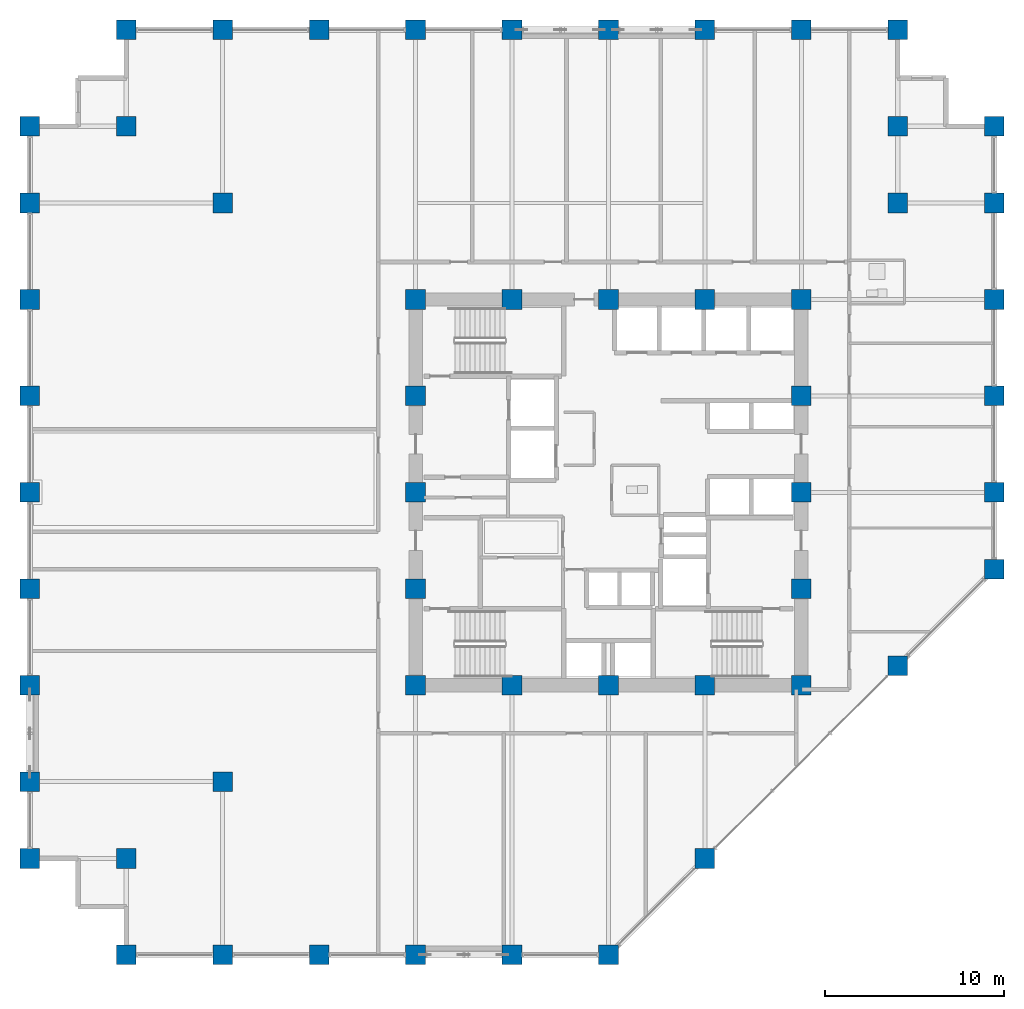
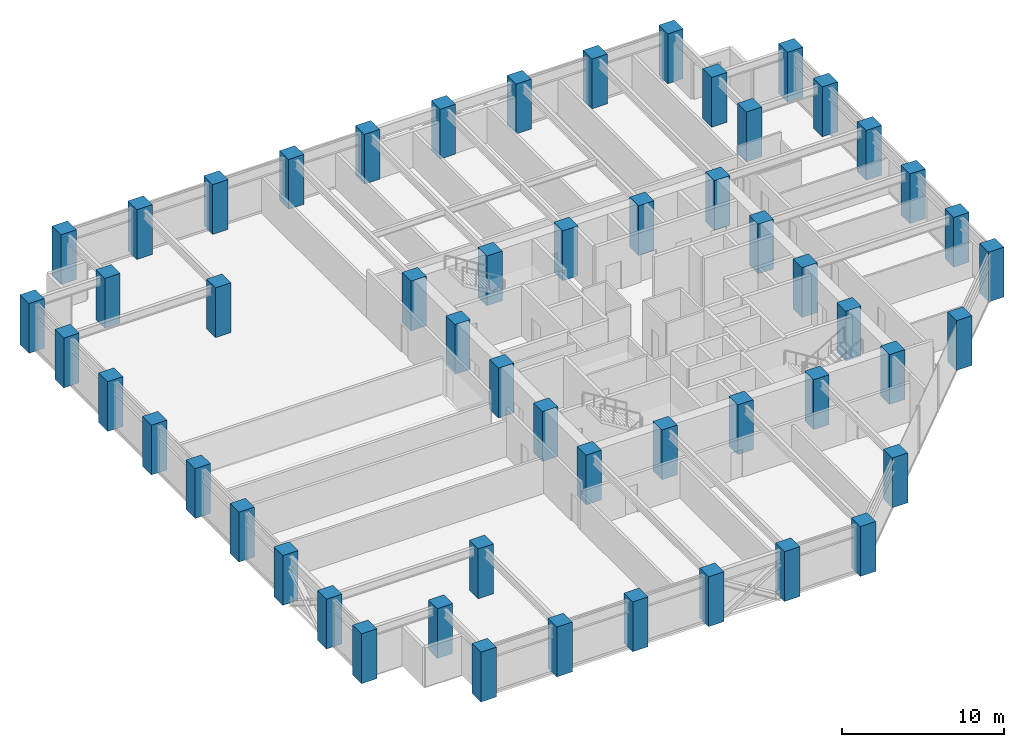
# One storey, part 1 of 25: 54 columns.
"""IFC4 building model written with IfcOpenShell, lengths in metres."""

import ifcopenshell
import ifcopenshell.guid

model = None  # the IFC model being written
_history = None  # IfcOwnerHistory: only IFC2X3 demands one
_inside = {}  # id of a spatial element -> (the spatial element, [elements in it])
_under = {}  # id of a project, library or spatial element -> (it, [spatial elements below it])
_declared = {}  # id of a project -> (the project, [libraries it declares])
_typed = {}  # id of a type object -> (the type object, [elements of that type])
_made_of = {}  # id of a material, layer set ... -> (it, [elements and type objects made of it])


def new_model(schema):
    """Start an empty IFC model of exactly this schema.

    Asked for "IFC4X3", IfcOpenShell would pick the latest addendum, in which some entities
    have other attributes; the version numbers below select the first issue.
    IFC2X3 requires an IfcOwnerHistory on every rooted entity: one is made here for all.
    """
    global model, _history
    if schema == "IFC4X3":
        model = ifcopenshell.file(schema_version=(4, 3, 0, 0))
    else:
        model = ifcopenshell.file(schema=schema)
    _inside.clear()
    _under.clear()
    _declared.clear()
    _typed.clear()
    _made_of.clear()
    _history = None
    if model.schema == "IFC2X3":
        org = make("IfcOrganization", Name="unknown")
        user = make(
            "IfcPersonAndOrganization",
            ThePerson=make("IfcPerson", FamilyName="unknown"),
            TheOrganization=org,
        )
        app = make(
            "IfcApplication",
            ApplicationDeveloper=org,
            Version="unknown",
            ApplicationFullName="unknown",
            ApplicationIdentifier="unknown",
        )
        _history = make(
            "IfcOwnerHistory",
            OwningUser=user,
            OwningApplication=app,
            ChangeAction="ADDED",
            CreationDate=0,
        )
    return model


def make(cls, **values):
    """One entity of the class cls with the attributes given. An attribute that is None is left unset."""
    return model.create_entity(
        cls, **{name: value for name, value in values.items() if value is not None}
    )


def rooted(cls, **values):
    """An entity with a GlobalId (a new one), such as an element, a storey or a relation."""
    return make(cls, GlobalId=ifcopenshell.guid.new(), OwnerHistory=_history, **values)


def si_unit(unit_type, name, prefix=None):
    """IfcSIUnit, for example si_unit("LENGTHUNIT", "METRE", prefix="MILLI")."""
    return make("IfcSIUnit", UnitType=unit_type, Prefix=prefix, Name=name)


def assignment(units):
    """IfcUnitAssignment: the units of a project."""
    return None if units is None else make("IfcUnitAssignment", Units=units)


def point(xyz):
    """IfcCartesianPoint."""
    return None if xyz is None else make("IfcCartesianPoint", Coordinates=xyz)


def direction(xyz):
    """IfcDirection."""
    return None if xyz is None else make("IfcDirection", DirectionRatios=xyz)


def frame(location, z_axis=None, x_axis=None):
    """IfcAxis2Placement3D, a coordinate frame: its origin and axes. An axis left out is left unset."""
    return make(
        "IfcAxis2Placement3D",
        Location=point(location),
        Axis=direction(z_axis),
        RefDirection=direction(x_axis),
    )


def frame_2d(location, x_axis=None):
    """IfcAxis2Placement2D, a coordinate frame in the plane: its origin and x axis."""
    return make(
        "IfcAxis2Placement2D", Location=point(location), RefDirection=direction(x_axis)
    )


def origin():
    """The frame at (0, 0, 0) with its axes left unset."""
    return frame((0.0, 0.0, 0.0))


def origin_2d():
    """The frame at (0, 0) in the plane with its x axis left unset."""
    return frame_2d((0.0, 0.0))


def place(relative_to, where):
    """IfcLocalPlacement: puts the frame where relative to a parent placement (None: the world)."""
    return make(
        "IfcLocalPlacement", PlacementRelTo=relative_to, RelativePlacement=where
    )


def context(
    kind, dimensions, precision=None, world=None, true_north=None, identifier=None
):
    """IfcGeometricRepresentationContext, for example the 3D "Model" context."""
    return make(
        "IfcGeometricRepresentationContext",
        ContextIdentifier=identifier,
        ContextType=kind,
        CoordinateSpaceDimension=dimensions,
        Precision=precision,
        WorldCoordinateSystem=world,
        TrueNorth=true_north,
    )


def subcontext(parent, identifier, kind, view, scale=None):
    """IfcGeometricRepresentationSubContext, for example "Body" below "Model"."""
    return make(
        "IfcGeometricRepresentationSubContext",
        ContextIdentifier=identifier,
        ContextType=kind,
        ParentContext=parent,
        TargetScale=scale,
        TargetView=view,
    )


def project(units=None, contexts=None):
    """IfcProject with its units and contexts."""
    return rooted(
        "IfcProject",
        Name="project",
        RepresentationContexts=contexts,
        UnitsInContext=assignment(units),
    )


def spatial(cls, under=None, at=None, **own):
    """A site, building, storey or space (cls), placed at a placement, below another one or the project."""
    s = rooted(cls, ObjectPlacement=at, **own)
    if under is not None:
        _under.setdefault(under.id(), (under, []))[1].append(s)
    return s


def profile(cls, at=None, kind="AREA", **sizes):
    """A parametric profile (cls). Its sizes go by their IFC names, for example OverallWidth=200.0."""
    return make(cls, ProfileType=kind, Position=at, **sizes)


def rectangle(**sizes):
    """IfcRectangleProfileDef."""
    return profile("IfcRectangleProfileDef", **sizes)


def extrude(swept, where, along, depth):
    """IfcExtrudedAreaSolid: the profile swept, set in the frame where, extruded along a direction by depth."""
    return make(
        "IfcExtrudedAreaSolid",
        SweptArea=swept,
        Position=where,
        ExtrudedDirection=direction(along),
        Depth=depth,
    )


def shape(context_of_items, identifier, shape_type, items):
    """IfcShapeRepresentation: the items that make up one representation, for example the "Body"."""
    return make(
        "IfcShapeRepresentation",
        ContextOfItems=context_of_items,
        RepresentationIdentifier=identifier,
        RepresentationType=shape_type,
        Items=items,
    )


def material(Name=None, Category=None):
    """IfcMaterial."""
    return make("IfcMaterial", Name=Name, Category=Category)


def material_profile(
    of_material, cross_section, Name=None, Category=None, Priority=None
):
    """IfcMaterialProfile: a cross section and its material."""
    return make(
        "IfcMaterialProfile",
        Name=Name,
        Material=of_material,
        Profile=cross_section,
        Priority=Priority,
        Category=Category,
    )


def profile_set(profiles, Name=None, composite=None):
    """IfcMaterialProfileSet."""
    return make(
        "IfcMaterialProfileSet",
        Name=Name,
        MaterialProfiles=profiles,
        CompositeProfile=composite,
    )


def made_of(thing, what):
    """Note that an element or type object is made of a material, layer set ...; save() writes the relation."""
    if what is not None:
        _made_of.setdefault(what.id(), (what, []))[1].append(thing)
    return thing


def type_object(cls, material=None, **own):
    """A type object (cls), such as IfcWallType, which elements share."""
    return made_of(rooted(cls, **own), material)


def element(
    cls,
    number,
    at=None,
    inside=None,
    cuts=None,
    type_object=None,
    material=None,
    context=None,
    identifier="Body",
    shape_type=None,
    held_by="IfcProductDefinitionShape",
    body=None,
    shapes=None,
    **own,
):
    """One element of the class cls, such as IfcWall. Its Tag is "e" and its number.

    at: its placement. inside: the storey or other place that contains it. cuts: it is an
    opening in that element (IfcRelVoidsElement). A single representation is given by context,
    identifier, shape_type and body (its items); several are given by shapes. held_by: the class
    of the entity that holds the representations. save() writes the other relations.
    """
    e = rooted(cls, Tag="e%d" % number, ObjectPlacement=at, **own)
    if body is not None:
        shapes = [shape(context, identifier, shape_type, body)]
    if shapes is not None:
        e.Representation = make(held_by, Representations=shapes)
    if inside is not None:
        _inside.setdefault(inside.id(), (inside, []))[1].append(e)
    if cuts is not None:
        rooted(
            "IfcRelVoidsElement", RelatingBuildingElement=cuts, RelatedOpeningElement=e
        )
    if type_object is not None:
        _typed.setdefault(type_object.id(), (type_object, []))[1].append(e)
    return made_of(e, material)


def aggregate(whole, parts):
    """IfcRelAggregates: a whole, such as a stair, and the parts it consists of."""
    return rooted("IfcRelAggregates", RelatingObject=whole, RelatedObjects=parts)


def save(model, path):
    """Write the relations noted so far, then the file.

    IfcRelAggregates (storeys below a building ...), IfcRelContainedInSpatialStructure (elements
    in a storey), IfcRelDefinesByType, IfcRelAssociatesMaterial and IfcRelDeclares: one each for
    every whole, place, type object, material and project.
    """
    for whole, parts in _under.values():
        aggregate(whole, parts)
    for where, things in _inside.values():
        rooted(
            "IfcRelContainedInSpatialStructure",
            RelatedElements=things,
            RelatingStructure=where,
        )
    for kind, things in _typed.values():
        rooted("IfcRelDefinesByType", RelatedObjects=things, RelatingType=kind)
    for what, things in _made_of.values():
        rooted("IfcRelAssociatesMaterial", RelatedObjects=things, RelatingMaterial=what)
    for by, libraries in _declared.values():
        rooted("IfcRelDeclares", RelatingContext=by, RelatedDefinitions=libraries)
    model.write(path)


model = new_model("IFC4")

# Units and contexts
model_context = context("Model", 3, precision=1e-05, world=origin(), true_north=direction((0.0, 1.0)))
body_context = subcontext(model_context, "Body", "Model", "MODEL_VIEW")
ifc_project = project(units=[si_unit("LENGTHUNIT", "METRE"), si_unit("AREAUNIT", "SQUARE_METRE"), si_unit("VOLUMEUNIT", "CUBIC_METRE"), si_unit("PLANEANGLEUNIT", "RADIAN"), si_unit("MASSUNIT", "GRAM", prefix="KILO")], contexts=[model_context])

# Site, building, storey
site_placement = place(None, origin())
site = spatial("IfcSite", under=ifc_project, at=site_placement, CompositionType="ELEMENT")
building_placement = place(site_placement, origin())
building = spatial("IfcBuilding", under=site, at=building_placement, Name="Surkhivell Harbour Commons", CompositionType="ELEMENT")
storey_placement = place(building_placement, frame((0.0, 0.0, 117.0)))
storey = spatial("IfcBuildingStorey", under=building, at=storey_placement, Name="L30", CompositionType="ELEMENT", Elevation=117.0)

# Columns
ifc_material = material(Name="Concrete C60/75", Category="concrete")
ifc_material_profile = material_profile(ifc_material, rectangle(XDim=1.10009765625, YDim=1.10009765625, at=origin_2d()), Name="RC-COL-1100x1100")
ifc_profile_set = profile_set([ifc_material_profile], Name="Concrete C60/75")
column_type = type_object("IfcColumnType", Name="COL-TUBE-Z2A", PredefinedType="COLUMN", material=ifc_profile_set)
for number, where, z_axis, x_axis, name in (
    (1, (-32.39990234375, -20.5, 0.0), (0.0, 0.0, 1.0), (1.0, 0.0, 0.0), "L30 Column CT-2A (-32.4,-20.5)"),
    (2, (-32.39990234375, -16.199951171875, 0.0), (0.0, 0.0, 1.0), (1.0, 0.0, 0.0), "L30 Column CT-2A (-32.4,-16.2)"),
    (3, (-32.39990234375, -10.800048828125, 0.0), (0.0, 0.0, 1.0), (1.0, 0.0, 0.0), "L30 Column CT-2A (-32.4,-10.8)"),
    (4, (-32.39990234375, -5.39990234375, 0.0), (0.0, 0.0, 1.0), (1.0, 0.0, 0.0), "L30 Column CT-2A (-32.4,-5.4)"),
    (5, (-32.39990234375, 0.0, 0.0), (0.0, 0.0, 1.0), (1.0, 0.0, 0.0), "L30 Column CT-2A (-32.4,0.0)"),
    (6, (-32.39990234375, 5.39990234375, 0.0), (0.0, 0.0, 1.0), (1.0, 0.0, 0.0), "L30 Column CT-2A (-32.4,5.4)"),
    (7, (-32.39990234375, 10.800048828125, 0.0), (0.0, 0.0, 1.0), (1.0, 0.0, 0.0), "L30 Column CT-2A (-32.4,10.8)"),
    (8, (-32.39990234375, 16.199951171875, 0.0), (0.0, 0.0, 1.0), (1.0, 0.0, 0.0), "L30 Column CT-2A (-32.4,16.2)"),
    (9, (-32.39990234375, 20.5, 0.0), (0.0, 0.0, 1.0), (1.0, 0.0, 0.0), "L30 Column CT-2A (-32.4,20.5)"),
    (10, (-27.0, -25.89990234375, 0.0), (0.0, 0.0, 1.0), (1.0, 0.0, 0.0), "L30 Column CT-2A (-27.0,-25.9)"),
    (11, (-27.0, -20.5, 0.0), (0.0, 0.0, 1.0), (1.0, 0.0, 0.0), "L30 Column CT-2A (-27.0,-20.5)"),
    (12, (-27.0, 20.5, 0.0), (0.0, 0.0, 1.0), (1.0, 0.0, 0.0), "L30 Column CT-2A (-27.0,20.5)"),
    (13, (-27.0, 25.89990234375, 0.0), (0.0, 0.0, 1.0), (1.0, 0.0, 0.0), "L30 Column CT-2A (-27.0,25.9)"),
    (14, (-21.60009765625, -25.89990234375, 0.0), (0.0, 0.0, 1.0), (1.0, 0.0, 0.0), "L30 Column CT-2A (-21.6,-25.9)"),
    (15, (-21.60009765625, -16.199951171875, 0.0), (0.0, 0.0, 1.0), (1.0, 0.0, 0.0), "L30 Column CT-2A (-21.6,-16.2)"),
    (16, (-21.60009765625, 16.199951171875, 0.0), (0.0, 0.0, 1.0), (1.0, 0.0, 0.0), "L30 Column CT-2A (-21.6,16.2)"),
    (17, (-21.60009765625, 25.89990234375, 0.0), (0.0, 0.0, 1.0), (1.0, 0.0, 0.0), "L30 Column CT-2A (-21.6,25.9)"),
    (18, (-16.199951171875, -25.89990234375, 0.0), (0.0, 0.0, 1.0), (1.0, 0.0, 0.0), "L30 Column CT-2A (-16.2,-25.9)"),
    (19, (-16.199951171875, 25.89990234375, 0.0), (0.0, 0.0, 1.0), (1.0, 0.0, 0.0), "L30 Column CT-2A (-16.2,25.9)"),
    (20, (-10.800048828125, -25.89990234375, 0.0), (0.0, 0.0, 1.0), (1.0, 0.0, 0.0), "L30 Column CT-2A (-10.8,-25.9)"),
    (21, (-10.800048828125, -10.800048828125, 0.0), (0.0, 0.0, 1.0), (1.0, 0.0, 0.0), "L30 Column CT-2A (-10.8,-10.8)"),
    (22, (-10.800048828125, -5.39990234375, 0.0), (0.0, 0.0, 1.0), (1.0, 0.0, 0.0), "L30 Column CT-2A (-10.8,-5.4)"),
    (23, (-10.800048828125, 0.0, 0.0), (0.0, 0.0, 1.0), (1.0, 0.0, 0.0), "L30 Column CT-2A (-10.8,0.0)"),
    (24, (-10.800048828125, 5.39990234375, 0.0), (0.0, 0.0, 1.0), (1.0, 0.0, 0.0), "L30 Column CT-2A (-10.8,5.4)"),
    (25, (-10.800048828125, 10.800048828125, 0.0), (0.0, 0.0, 1.0), (1.0, 0.0, 0.0), "L30 Column CT-2A (-10.8,10.8)"),
    (26, (-10.800048828125, 25.89990234375, 0.0), (0.0, 0.0, 1.0), (1.0, 0.0, 0.0), "L30 Column CT-2A (-10.8,25.9)"),
    (27, (-5.39990234375, -25.89990234375, 0.0), (0.0, 0.0, 1.0), (1.0, 0.0, 0.0), "L30 Column CT-2A (-5.4,-25.9)"),
    (28, (-5.39990234375, -10.800048828125, 0.0), (0.0, 0.0, 1.0), (1.0, 0.0, 0.0), "L30 Column CT-2A (-5.4,-10.8)"),
    (29, (-5.39990234375, 10.800048828125, 0.0), (0.0, 0.0, 1.0), (1.0, 0.0, 0.0), "L30 Column CT-2A (-5.4,10.8)"),
    (30, (-5.39990234375, 25.89990234375, 0.0), (0.0, 0.0, 1.0), (1.0, 0.0, 0.0), "L30 Column CT-2A (-5.4,25.9)"),
    (31, (0.0, -25.89990234375, 0.0), (0.0, 0.0, 1.0), (1.0, 0.0, 0.0), "L30 Column CT-2A (-0.0,-25.9)"),
    (32, (0.0, -10.800048828125, 0.0), (0.0, 0.0, 1.0), (1.0, 0.0, 0.0), "L30 Column CT-2A (0.0,-10.8)"),
    (33, (0.0, 10.800048828125, 0.0), (0.0, 0.0, 1.0), (1.0, 0.0, 0.0), "L30 Column CT-2A (0.0,10.8)"),
    (34, (0.0, 25.89990234375, 0.0), (0.0, 0.0, 1.0), (1.0, 0.0, 0.0), "L30 Column CT-2A (-0.0,25.9)"),
    (35, (5.39990234375, -20.5, 0.0), (0.0, 0.0, 1.0), (1.0, 0.0, 0.0), "L30 Column CT-2A (5.4,-20.5)"),
    (36, (5.39990234375, -10.800048828125, 0.0), (0.0, 0.0, 1.0), (1.0, 0.0, 0.0), "L30 Column CT-2A (5.4,-10.8)"),
    (37, (5.39990234375, 10.800048828125, 0.0), (0.0, 0.0, 1.0), (1.0, 0.0, 0.0), "L30 Column CT-2A (5.4,10.8)"),
    (38, (5.39990234375, 25.89990234375, 0.0), (0.0, 0.0, 1.0), (1.0, 0.0, 0.0), "L30 Column CT-2A (5.4,25.9)"),
    (39, (10.800048828125, -10.800048828125, 0.0), (0.0, 0.0, 1.0), (1.0, 0.0, 0.0), "L30 Column CT-2A (10.8,-10.8)"),
    (40, (10.800048828125, -5.39990234375, 0.0), (0.0, 0.0, 1.0), (1.0, 0.0, 0.0), "L30 Column CT-2A (10.8,-5.4)"),
    (41, (10.800048828125, 0.0, 0.0), (0.0, 0.0, 1.0), (1.0, 0.0, 0.0), "L30 Column CT-2A (10.8,0.0)"),
    (42, (10.800048828125, 5.39990234375, 0.0), (0.0, 0.0, 1.0), (1.0, 0.0, 0.0), "L30 Column CT-2A (10.8,5.4)"),
    (43, (10.800048828125, 10.800048828125, 0.0), (0.0, 0.0, 1.0), (1.0, 0.0, 0.0), "L30 Column CT-2A (10.8,10.8)"),
    (44, (10.800048828125, 25.89990234375, 0.0), (0.0, 0.0, 1.0), (1.0, 0.0, 0.0), "L30 Column CT-2A (10.8,25.9)"),
    (45, (16.199951171875, -9.699951171875, 0.0), (0.0, 0.0, 1.0), (1.0, 0.0, 0.0), "L30 Column CT-2A (16.2,-9.7)"),
    (46, (16.199951171875, 16.199951171875, 0.0), (0.0, 0.0, 1.0), (1.0, 0.0, 0.0), "L30 Column CT-2A (16.2,16.2)"),
    (47, (16.199951171875, 20.5, 0.0), (0.0, 0.0, 1.0), (1.0, 0.0, 0.0), "L30 Column CT-2A (16.2,20.5)"),
    (48, (16.199951171875, 25.89990234375, 0.0), (0.0, 0.0, 1.0), (1.0, 0.0, 0.0), "L30 Column CT-2A (16.2,25.9)"),
    (49, (21.60009765625, -4.300048828125, 0.0), (0.0, 0.0, 1.0), (1.0, 0.0, 0.0), "L30 Column CT-2A (21.6,-4.3)"),
    (50, (21.60009765625, 0.0, 0.0), (0.0, 0.0, 1.0), (1.0, 0.0, 0.0), "L30 Column CT-2A (21.6,0.0)"),
    (51, (21.60009765625, 5.39990234375, 0.0), (0.0, 0.0, 1.0), (1.0, 0.0, 0.0), "L30 Column CT-2A (21.6,5.4)"),
    (52, (21.60009765625, 10.800048828125, 0.0), (0.0, 0.0, 1.0), (1.0, 0.0, 0.0), "L30 Column CT-2A (21.6,10.8)"),
    (53, (21.60009765625, 16.199951171875, 0.0), (0.0, 0.0, 1.0), (1.0, 0.0, 0.0), "L30 Column CT-2A (21.6,16.2)"),
    (54, (21.60009765625, 20.5, 0.0), (0.0, 0.0, 1.0), (1.0, 0.0, 0.0), "L30 Column CT-2A (21.6,20.5)"),
):
    element("IfcColumn", number, at=place(storey_placement, frame(where, z_axis=z_axis, x_axis=x_axis)), inside=storey, type_object=column_type, Name=name, PredefinedType="COLUMN", context=body_context, shape_type="SweptSolid", body=[
        extrude(rectangle(XDim=1.10009765625, YDim=1.10009765625, at=origin_2d()), origin(), (0.0, 0.0, 1.0), 3.75),
    ])

save(model, "model.ifc")
